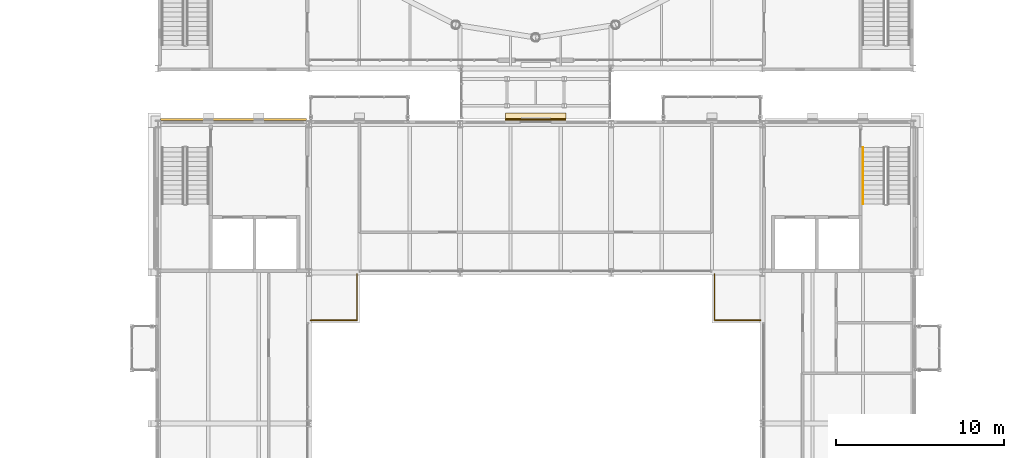
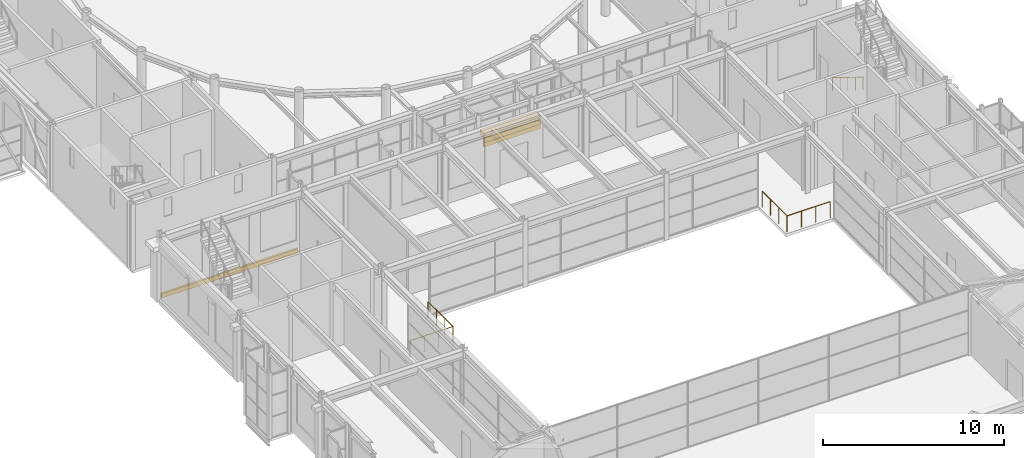
# One storey, part 141 of 149: 4 coverings, 3 railings.
"""IFC4 building model written with IfcOpenShell, lengths in metres."""

from ifc_helpers import new_model, si_unit, direction, frame, origin, origin_2d, place, context, subcontext, project, spatial, rectangle, circle, extrude, material, layer, layer_set, type_object, element, save


model = new_model("IFC4")

# Units and contexts
model_context = context("Model", 3, precision=1e-05, world=origin(), true_north=direction((0.0, 1.0)))
body_context = subcontext(model_context, "Body", "Model", "MODEL_VIEW")
ifc_project = project(units=[si_unit("LENGTHUNIT", "METRE"), si_unit("AREAUNIT", "SQUARE_METRE"), si_unit("VOLUMEUNIT", "CUBIC_METRE"), si_unit("PLANEANGLEUNIT", "RADIAN"), si_unit("MASSUNIT", "GRAM", prefix="KILO")], contexts=[model_context])

# Site, building, storey
site_placement = place(None, origin())
site = spatial("IfcSite", under=ifc_project, at=site_placement, CompositionType="ELEMENT")
building_placement = place(site_placement, origin())
building = spatial("IfcBuilding", under=site, at=building_placement, Name="Kallimachos Central Library", CompositionType="ELEMENT")
storey_placement = place(building_placement, frame((0.0, 0.0, 9.89990234375)))
storey = spatial("IfcBuildingStorey", under=building, at=storey_placement, Name="L02", CompositionType="ELEMENT", Elevation=9.89990234375)

# Railings
ifc_material_1 = material(Name="Wrought iron")
railing_type_1 = type_object("IfcRailingType", Name="Gallery guard", PredefinedType="GUARDRAIL", material=ifc_material_1)
railing_1_placement = place(storey_placement, frame((74.60009765625, 72.14990234375, 0.0)))
element("IfcRailing", 1, at=railing_1_placement, inside=storey, type_object=railing_type_1, Name="L02 corner landing guard west", PredefinedType="GUARDRAIL", context=body_context, shape_type="SweptSolid", body=[
    extrude(circle(Radius=0.02392578125, at=origin_2d()), frame((0.0, 0.0, 1.076171875), z_axis=(1.0, 0.0, 0.0), x_axis=(0.0, 1.0, 0.0)), (0.0, 0.0, 1.0), 2.75),
    extrude(circle(Radius=0.02392578125, at=origin_2d()), frame((2.75, 0.0, 1.076171875), z_axis=(0.0, 1.0, 0.0), x_axis=(-1.0, 0.0, 0.0)), (0.0, 0.0, 1.0), 2.75),
    extrude(circle(Radius=0.02099609375, at=origin_2d()), origin(), (0.0, 0.0, 1.0), 1.052001953125),
    extrude(circle(Radius=0.02099609375, at=origin_2d()), frame((0.916748046875, 0.0, 0.0)), (0.0, 0.0, 1.0), 1.052001953125),
    extrude(circle(Radius=0.02099609375, at=origin_2d()), frame((1.833251953125, 0.0, 0.0)), (0.0, 0.0, 1.0), 1.052001953125),
    extrude(circle(Radius=0.02099609375, at=origin_2d()), frame((2.75, 0.0, 0.0)), (0.0, 0.0, 1.0), 1.052001953125),
    extrude(circle(Radius=0.02099609375, at=origin_2d()), frame((2.75, 0.916748046875, 0.0)), (0.0, 0.0, 1.0), 1.052001953125),
    extrude(circle(Radius=0.02099609375, at=origin_2d()), frame((2.75, 1.833251953125, 0.0)), (0.0, 0.0, 1.0), 1.052001953125),
    extrude(circle(Radius=0.02099609375, at=origin_2d()), frame((2.75, 2.75, 0.0)), (0.0, 0.0, 1.0), 1.052001953125),
])
railing_2_placement = place(storey_placement, frame((101.39990234375, 72.14990234375, 0.0)))
element("IfcRailing", 2, at=railing_2_placement, inside=storey, type_object=railing_type_1, Name="L02 corner landing guard east", PredefinedType="GUARDRAIL", context=body_context, shape_type="SweptSolid", body=[
    extrude(circle(Radius=0.02392578125, at=origin_2d()), frame((0.0, 0.0, 1.076171875), z_axis=(-1.0, 0.0, 0.0), x_axis=(0.0, -1.0, 0.0)), (0.0, 0.0, 1.0), 2.75),
    extrude(circle(Radius=0.02392578125, at=origin_2d()), frame((-2.75, 0.0, 1.076171875), z_axis=(0.0, 1.0, 0.0), x_axis=(-1.0, 0.0, 0.0)), (0.0, 0.0, 1.0), 2.75),
    extrude(circle(Radius=0.02099609375, at=origin_2d()), origin(), (0.0, 0.0, 1.0), 1.052001953125),
    extrude(circle(Radius=0.02099609375, at=origin_2d()), frame((-0.916748046875, 0.0, 0.0)), (0.0, 0.0, 1.0), 1.052001953125),
    extrude(circle(Radius=0.02099609375, at=origin_2d()), frame((-1.833251953125, 0.0, 0.0)), (0.0, 0.0, 1.0), 1.052001953125),
    extrude(circle(Radius=0.02099609375, at=origin_2d()), frame((-2.75, 0.0, 0.0)), (0.0, 0.0, 1.0), 1.052001953125),
    extrude(circle(Radius=0.02099609375, at=origin_2d()), frame((-2.75, 0.916748046875, 0.0)), (0.0, 0.0, 1.0), 1.052001953125),
    extrude(circle(Radius=0.02099609375, at=origin_2d()), frame((-2.75, 1.833251953125, 0.0)), (0.0, 0.0, 1.0), 1.052001953125),
    extrude(circle(Radius=0.02099609375, at=origin_2d()), frame((-2.75, 2.75, 0.0)), (0.0, 0.0, 1.0), 1.052001953125),
])

# Coverings
ifc_material_2 = material(Name="Glazed ceramic frieze, green")
ifc_layer_1 = layer(ifc_material_2, 0.10009765625)
ifc_layer_set_1 = layer_set([ifc_layer_1], Name="Glazed ceramic frieze, green")
covering_type_1 = type_object("IfcCoveringType", Name="Glazed ceramic frieze, green", PredefinedType="CLADDING", material=ifc_layer_set_1)
covering_1_placement = place(storey_placement, frame((88.0, 84.115966796875, 3.1298828125), z_axis=(0.0, 0.0, 1.0), x_axis=(1.0, 0.0, 0.0)))
element("IfcCovering", 3, at=covering_1_placement, inside=storey, type_object=covering_type_1, Name="Glazed ceramic frieze, green -L02-017", PredefinedType="CLADDING", context=body_context, shape_type="SweptSolid", body=[
    extrude(rectangle(XDim=3.60009765625, YDim=0.10009765625, at=origin_2d()), origin(), (0.0, 0.0, 1.0), 0.300048828125),
])
ifc_material_3 = material(Name="Glazed ceramic frieze, ochre")
ifc_layer_2 = layer(ifc_material_3, 0.10009765625)
ifc_layer_set_2 = layer_set([ifc_layer_2], Name="Glazed ceramic frieze, ochre")
covering_type_2 = type_object("IfcCoveringType", Name="Glazed ceramic frieze, ochre", PredefinedType="CLADDING", material=ifc_layer_set_2)
covering_2_placement = place(storey_placement, frame((88.0, 84.115966796875, 2.830078125), z_axis=(0.0, 0.0, 1.0), x_axis=(1.0, 0.0, 0.0)))
element("IfcCovering", 4, at=covering_2_placement, inside=storey, type_object=covering_type_2, Name="Glazed ceramic frieze, ochre -L02-017", PredefinedType="CLADDING", context=body_context, shape_type="SweptSolid", body=[
    extrude(rectangle(XDim=3.60009765625, YDim=0.10009765625, at=origin_2d()), origin(), (0.0, 0.0, 1.0), 0.300048828125),
])

# Railing
ifc_material_4 = material(Name="Wrought iron")
railing_type_2 = type_object("IfcRailingType", Name="Stair handrail", PredefinedType="HANDRAIL", material=ifc_material_4)
railing_3_placement = place(storey_placement, frame((107.5, 82.449951171875, 0.173095703125)))
element("IfcRailing", 5, at=railing_3_placement, inside=storey, type_object=railing_type_2, Name="L02 ST10 stair handrail 1", PredefinedType="HANDRAIL", context=body_context, shape_type="SweptSolid", body=[
    extrude(circle(Radius=0.02392578125, at=origin_2d()), frame((0.0, 0.0, 0.8759765625), z_axis=(0.0, -0.850606129759, 0.525803396734), x_axis=(1.0, 0.0, 0.0)), (0.0, 0.0, 1.0), 3.949951171875),
    extrude(circle(Radius=0.02099609375, at=origin_2d()), origin(), (0.0, 0.0, 1.0), 0.851806640625),
    extrude(circle(Radius=0.02099609375, at=origin_2d()), frame((0.0, -0.83984375, 0.519287109375)), (0.0, 0.0, 1.0), 0.851806640625),
    extrude(circle(Radius=0.02099609375, at=origin_2d()), frame((0.0, -1.679931640625, 1.03857421875)), (0.0, 0.0, 1.0), 0.851806640625),
    extrude(circle(Radius=0.02099609375, at=origin_2d()), frame((0.0, -2.52001953125, 1.5576171875)), (0.0, 0.0, 1.0), 0.851806640625),
    extrude(circle(Radius=0.02099609375, at=origin_2d()), frame((0.0, -3.35986328125, 2.076904296875)), (0.0, 0.0, 1.0), 0.851806640625),
])

# Coverings
ifc_material_5 = material(Name="Pentelic marble attic moulding", Category="masonry")
ifc_layer_3 = layer(ifc_material_5, 0.1201171875)
ifc_layer_set_3 = layer_set([ifc_layer_3], Name="Stone attic moulding 300")
covering_type_3 = type_object("IfcCoveringType", Name="Stone attic moulding 300", PredefinedType="MOLDING", material=ifc_layer_set_3)
covering_3_placement = place(storey_placement, frame((70.0, 84.1259765625, -0.14990234375), z_axis=(0.0, 0.0, 1.0), x_axis=(1.0, 0.0, 0.0)))
element("IfcCovering", 6, at=covering_3_placement, inside=storey, type_object=covering_type_3, Name="Stone attic moulding 300 -L02-015", PredefinedType="MOLDING", context=body_context, shape_type="SweptSolid", body=[
    extrude(rectangle(XDim=8.693115234375, YDim=0.1201171875, at=origin_2d()), origin(), (0.0, 0.0, 1.0), 0.300048828125),
])
ifc_material_6 = material(Name="Pentelic marble cornice", Category="masonry")
ifc_layer_4 = layer(ifc_material_6, 0.449951171875)
ifc_layer_set_4 = layer_set([ifc_layer_4], Name="Stone cornice 450")
covering_type_4 = type_object("IfcCoveringType", Name="Stone cornice 450", PredefinedType="MOLDING", material=ifc_layer_set_4)
covering_4_placement = place(storey_placement, frame((88.0, 84.291015625, 3.4501953125), z_axis=(0.0, 0.0, 1.0), x_axis=(1.0, 0.0, 0.0)))
element("IfcCovering", 7, at=covering_4_placement, inside=storey, type_object=covering_type_4, Name="Stone cornice 450 -L02-017", PredefinedType="MOLDING", context=body_context, shape_type="SweptSolid", body=[
    extrude(rectangle(XDim=3.60009765625, YDim=0.449951171875, at=origin_2d()), origin(), (0.0, 0.0, 1.0), 0.300048828125),
])

save(model, "model.ifc")
